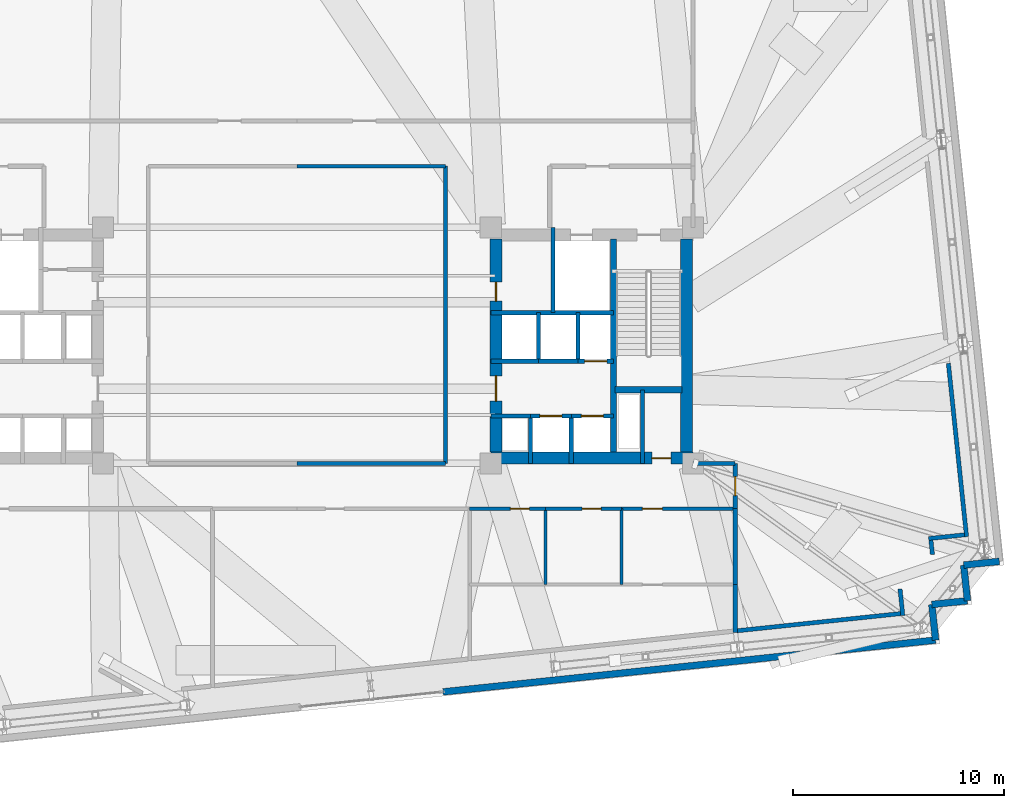
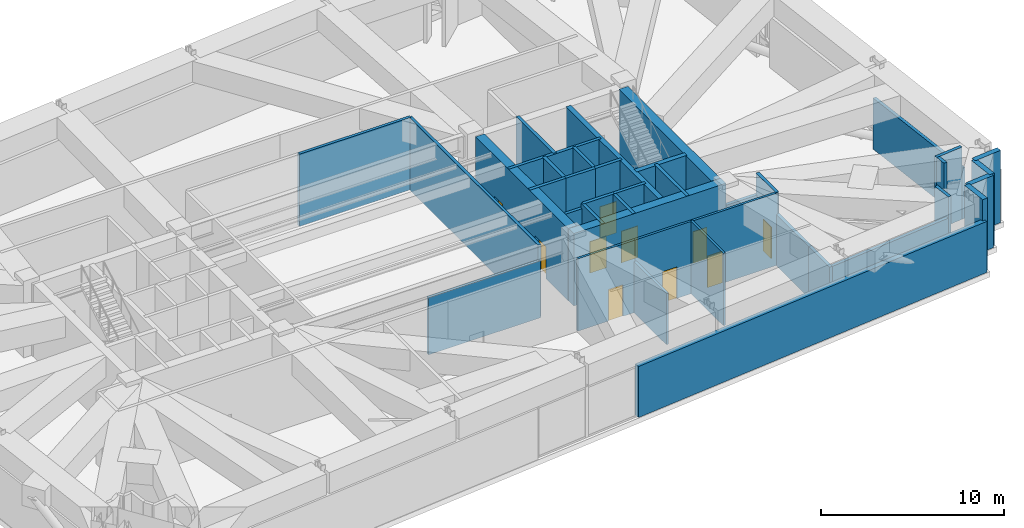
# One storey, part 20 of 23: 40 walls, 10 doors, 10 openings.
"""IFC4 building model written with IfcOpenShell, lengths in metres."""

import ifcopenshell
import ifcopenshell.guid

model = None  # the IFC model being written
_history = None  # IfcOwnerHistory: only IFC2X3 demands one
_inside = {}  # id of a spatial element -> (the spatial element, [elements in it])
_under = {}  # id of a project, library or spatial element -> (it, [spatial elements below it])
_declared = {}  # id of a project -> (the project, [libraries it declares])
_typed = {}  # id of a type object -> (the type object, [elements of that type])
_made_of = {}  # id of a material, layer set ... -> (it, [elements and type objects made of it])


def new_model(schema):
    """Start an empty IFC model of exactly this schema.

    Asked for "IFC4X3", IfcOpenShell would pick the latest addendum, in which some entities
    have other attributes; the version numbers below select the first issue.
    IFC2X3 requires an IfcOwnerHistory on every rooted entity: one is made here for all.
    """
    global model, _history
    if schema == "IFC4X3":
        model = ifcopenshell.file(schema_version=(4, 3, 0, 0))
    else:
        model = ifcopenshell.file(schema=schema)
    _inside.clear()
    _under.clear()
    _declared.clear()
    _typed.clear()
    _made_of.clear()
    _history = None
    if model.schema == "IFC2X3":
        org = make("IfcOrganization", Name="unknown")
        user = make(
            "IfcPersonAndOrganization",
            ThePerson=make("IfcPerson", FamilyName="unknown"),
            TheOrganization=org,
        )
        app = make(
            "IfcApplication",
            ApplicationDeveloper=org,
            Version="unknown",
            ApplicationFullName="unknown",
            ApplicationIdentifier="unknown",
        )
        _history = make(
            "IfcOwnerHistory",
            OwningUser=user,
            OwningApplication=app,
            ChangeAction="ADDED",
            CreationDate=0,
        )
    return model


def make(cls, **values):
    """One entity of the class cls with the attributes given. An attribute that is None is left unset."""
    return model.create_entity(
        cls, **{name: value for name, value in values.items() if value is not None}
    )


def rooted(cls, **values):
    """An entity with a GlobalId (a new one), such as an element, a storey or a relation."""
    return make(cls, GlobalId=ifcopenshell.guid.new(), OwnerHistory=_history, **values)


def si_unit(unit_type, name, prefix=None):
    """IfcSIUnit, for example si_unit("LENGTHUNIT", "METRE", prefix="MILLI")."""
    return make("IfcSIUnit", UnitType=unit_type, Prefix=prefix, Name=name)


def assignment(units):
    """IfcUnitAssignment: the units of a project."""
    return None if units is None else make("IfcUnitAssignment", Units=units)


def point(xyz):
    """IfcCartesianPoint."""
    return None if xyz is None else make("IfcCartesianPoint", Coordinates=xyz)


def direction(xyz):
    """IfcDirection."""
    return None if xyz is None else make("IfcDirection", DirectionRatios=xyz)


def frame(location, z_axis=None, x_axis=None):
    """IfcAxis2Placement3D, a coordinate frame: its origin and axes. An axis left out is left unset."""
    return make(
        "IfcAxis2Placement3D",
        Location=point(location),
        Axis=direction(z_axis),
        RefDirection=direction(x_axis),
    )


def frame_2d(location, x_axis=None):
    """IfcAxis2Placement2D, a coordinate frame in the plane: its origin and x axis."""
    return make(
        "IfcAxis2Placement2D", Location=point(location), RefDirection=direction(x_axis)
    )


def origin():
    """The frame at (0, 0, 0) with its axes left unset."""
    return frame((0.0, 0.0, 0.0))


def place(relative_to, where):
    """IfcLocalPlacement: puts the frame where relative to a parent placement (None: the world)."""
    return make(
        "IfcLocalPlacement", PlacementRelTo=relative_to, RelativePlacement=where
    )


def context(
    kind, dimensions, precision=None, world=None, true_north=None, identifier=None
):
    """IfcGeometricRepresentationContext, for example the 3D "Model" context."""
    return make(
        "IfcGeometricRepresentationContext",
        ContextIdentifier=identifier,
        ContextType=kind,
        CoordinateSpaceDimension=dimensions,
        Precision=precision,
        WorldCoordinateSystem=world,
        TrueNorth=true_north,
    )


def subcontext(parent, identifier, kind, view, scale=None):
    """IfcGeometricRepresentationSubContext, for example "Body" below "Model"."""
    return make(
        "IfcGeometricRepresentationSubContext",
        ContextIdentifier=identifier,
        ContextType=kind,
        ParentContext=parent,
        TargetScale=scale,
        TargetView=view,
    )


def project(units=None, contexts=None):
    """IfcProject with its units and contexts."""
    return rooted(
        "IfcProject",
        Name="project",
        RepresentationContexts=contexts,
        UnitsInContext=assignment(units),
    )


def spatial(cls, under=None, at=None, **own):
    """A site, building, storey or space (cls), placed at a placement, below another one or the project."""
    s = rooted(cls, ObjectPlacement=at, **own)
    if under is not None:
        _under.setdefault(under.id(), (under, []))[1].append(s)
    return s


def profile(cls, at=None, kind="AREA", **sizes):
    """A parametric profile (cls). Its sizes go by their IFC names, for example OverallWidth=200.0."""
    return make(cls, ProfileType=kind, Position=at, **sizes)


def rectangle(**sizes):
    """IfcRectangleProfileDef."""
    return profile("IfcRectangleProfileDef", **sizes)


def extrude(swept, where, along, depth):
    """IfcExtrudedAreaSolid: the profile swept, set in the frame where, extruded along a direction by depth."""
    return make(
        "IfcExtrudedAreaSolid",
        SweptArea=swept,
        Position=where,
        ExtrudedDirection=direction(along),
        Depth=depth,
    )


def shape(context_of_items, identifier, shape_type, items):
    """IfcShapeRepresentation: the items that make up one representation, for example the "Body"."""
    return make(
        "IfcShapeRepresentation",
        ContextOfItems=context_of_items,
        RepresentationIdentifier=identifier,
        RepresentationType=shape_type,
        Items=items,
    )


def material(Name=None, Category=None):
    """IfcMaterial."""
    return make("IfcMaterial", Name=Name, Category=Category)


def layer(
    of_material, thickness, ventilated=None, Name=None, Category=None, Priority=None
):
    """IfcMaterialLayer: one layer of a wall or slab, of a material (None: an air gap)."""
    return make(
        "IfcMaterialLayer",
        Material=of_material,
        LayerThickness=thickness,
        IsVentilated=ventilated,
        Name=Name,
        Category=Category,
        Priority=Priority,
    )


def layer_set(layers, Name=None):
    """IfcMaterialLayerSet."""
    return make("IfcMaterialLayerSet", MaterialLayers=layers, LayerSetName=Name)


def made_of(thing, what):
    """Note that an element or type object is made of a material, layer set ...; save() writes the relation."""
    if what is not None:
        _made_of.setdefault(what.id(), (what, []))[1].append(thing)
    return thing


def type_object(cls, material=None, **own):
    """A type object (cls), such as IfcWallType, which elements share."""
    return made_of(rooted(cls, **own), material)


def element(
    cls,
    number,
    at=None,
    inside=None,
    cuts=None,
    type_object=None,
    material=None,
    context=None,
    identifier="Body",
    shape_type=None,
    held_by="IfcProductDefinitionShape",
    body=None,
    shapes=None,
    **own,
):
    """One element of the class cls, such as IfcWall. Its Tag is "e" and its number.

    at: its placement. inside: the storey or other place that contains it. cuts: it is an
    opening in that element (IfcRelVoidsElement). A single representation is given by context,
    identifier, shape_type and body (its items); several are given by shapes. held_by: the class
    of the entity that holds the representations. save() writes the other relations.
    """
    e = rooted(cls, Tag="e%d" % number, ObjectPlacement=at, **own)
    if body is not None:
        shapes = [shape(context, identifier, shape_type, body)]
    if shapes is not None:
        e.Representation = make(held_by, Representations=shapes)
    if inside is not None:
        _inside.setdefault(inside.id(), (inside, []))[1].append(e)
    if cuts is not None:
        rooted(
            "IfcRelVoidsElement", RelatingBuildingElement=cuts, RelatedOpeningElement=e
        )
    if type_object is not None:
        _typed.setdefault(type_object.id(), (type_object, []))[1].append(e)
    return made_of(e, material)


def fill(opening, filler):
    """IfcRelFillsElement: the door or window that sits in an opening."""
    return rooted(
        "IfcRelFillsElement",
        RelatingOpeningElement=opening,
        RelatedBuildingElement=filler,
    )


def aggregate(whole, parts):
    """IfcRelAggregates: a whole, such as a stair, and the parts it consists of."""
    return rooted("IfcRelAggregates", RelatingObject=whole, RelatedObjects=parts)


def save(model, path):
    """Write the relations noted so far, then the file.

    IfcRelAggregates (storeys below a building ...), IfcRelContainedInSpatialStructure (elements
    in a storey), IfcRelDefinesByType, IfcRelAssociatesMaterial and IfcRelDeclares: one each for
    every whole, place, type object, material and project.
    """
    for whole, parts in _under.values():
        aggregate(whole, parts)
    for where, things in _inside.values():
        rooted(
            "IfcRelContainedInSpatialStructure",
            RelatedElements=things,
            RelatingStructure=where,
        )
    for kind, things in _typed.values():
        rooted("IfcRelDefinesByType", RelatedObjects=things, RelatingType=kind)
    for what, things in _made_of.values():
        rooted("IfcRelAssociatesMaterial", RelatedObjects=things, RelatingMaterial=what)
    for by, libraries in _declared.values():
        rooted("IfcRelDeclares", RelatingContext=by, RelatedDefinitions=libraries)
    model.write(path)


model = new_model("IFC4")

# Units and contexts
model_context = context("Model", 3, precision=1e-05, world=origin(), true_north=direction((0.0, 1.0)))
body_context = subcontext(model_context, "Body", "Model", "MODEL_VIEW")
ifc_project = project(units=[si_unit("LENGTHUNIT", "METRE"), si_unit("AREAUNIT", "SQUARE_METRE"), si_unit("VOLUMEUNIT", "CUBIC_METRE"), si_unit("PLANEANGLEUNIT", "RADIAN"), si_unit("MASSUNIT", "GRAM", prefix="KILO")], contexts=[model_context])

# Site, building, storey
site_placement = place(None, origin())
site = spatial("IfcSite", under=ifc_project, at=site_placement, CompositionType="ELEMENT")
building_placement = place(site_placement, origin())
building = spatial("IfcBuilding", under=site, at=building_placement, Name="Qobustan Lattice House", CompositionType="ELEMENT")
storey_placement = place(building_placement, frame((0.0, 0.0, 125.89990234375)))
storey = spatial("IfcBuildingStorey", under=building, at=storey_placement, Name="L35", CompositionType="ELEMENT", Elevation=125.89990234375)

# Wall, opening, door
ifc_material_1 = material(Name="Concrete C60/75", Category="concrete")
ifc_layer_1 = layer(ifc_material_1, 0.56005859375)
ifc_layer_set_1 = layer_set([ifc_layer_1], Name="Concrete C60/75")
wall_type_1 = type_object("IfcWallType", Name="WAL-CORE-600", PredefinedType="SHEAR", material=ifc_layer_set_1)
wall_1_placement = place(storey_placement, frame((9.199951171875, -5.35009765625, 0.0), z_axis=(0.0, 0.0, 1.0), x_axis=(1.0, 0.0, 0.0)))
wall_1 = element("IfcWall", 1, at=wall_1_placement, inside=storey, type_object=wall_type_1, Name="L35 split-core shear wall CE-S", PredefinedType="SHEAR", context=body_context, shape_type="SweptSolid", body=[
    extrude(rectangle(XDim=9.60009765625, YDim=0.56005859375, at=frame_2d((4.800048828125, 0.0))), origin(), (0.0, 0.0, 1.0), 4.820068359375),
])
opening_1_placement = place(wall_1_placement, frame((7.64990234375, 0.0, 0.0)))
opening_1 = element("IfcOpeningElement", 2, at=opening_1_placement, cuts=wall_1, Name="Opening RD-01", PredefinedType="OPENING", context=body_context, shape_type="SweptSolid", body=[
    extrude(rectangle(XDim=0.89990234375, YDim=2.10009765625, at=frame_2d((0.449951171875, 1.050048828125))), frame((0.0, 0.2900390625, 0.0), z_axis=(0.0, -1.0, 0.0), x_axis=(1.0, 0.0, 0.0)), (0.0, 0.0, 1.0), 0.580078125),
])
ifc_material_2 = material(Name="Persian walnut timber and steel frame door", Category="steel")
door_type_1 = type_object("IfcDoorType", Name="DOR-RISER-FD-900x2100", OperationType="NOTDEFINED", PredefinedType="DOOR", material=ifc_material_2)
door_1_placement = place(opening_1_placement, origin())
door_1 = element("IfcDoor", 3, at=door_1_placement, inside=storey, type_object=door_type_1, Name="L35 core service riser access door E", OperationType="SINGLE_SWING_LEFT", OverallHeight=2.10009765625, OverallWidth=0.89990234375, PredefinedType="DOOR", context=body_context, shape_type="SweptSolid", body=[
    extrude(rectangle(XDim=0.89990234375, YDim=2.10009765625, at=frame_2d((0.449951171875, 1.050048828125))), frame((0.0, 0.02490234375, 0.0), z_axis=(0.0, -1.0, 0.0), x_axis=(1.0, 0.0, 0.0)), (0.0, 0.0, 1.0), 0.050048828125),
])
fill(opening_1, door_1)

# Wall, openings, doors
wall_2_placement = place(storey_placement, frame((9.449951171875, -5.050048828125, 0.0), z_axis=(0.0, 0.0, 1.0), x_axis=(0.0, 1.0, 0.0)))
wall_2 = element("IfcWall", 4, at=wall_2_placement, inside=storey, type_object=wall_type_1, Name="L35 split-core shear wall CE-W", PredefinedType="SHEAR", context=body_context, shape_type="SweptSolid", body=[
    extrude(rectangle(XDim=10.10009765625, YDim=0.56005859375, at=frame_2d((5.050048828125, 0.0))), origin(), (0.0, 0.0, 1.0), 4.820068359375),
])
opening_2_placement = place(wall_2_placement, frame((7.14990234375, 0.0, 0.0)))
opening_2 = element("IfcOpeningElement", 5, at=opening_2_placement, cuts=wall_2, Name="Opening RD-01", PredefinedType="OPENING", context=body_context, shape_type="SweptSolid", body=[
    extrude(rectangle(XDim=0.89990234375, YDim=2.10009765625, at=frame_2d((0.449951171875, 1.050048828125))), frame((0.0, 0.2900390625, 0.0), z_axis=(0.0, -1.0, 0.0), x_axis=(1.0, 0.0, 0.0)), (0.0, 0.0, 1.0), 0.580078125),
])
opening_3_placement = place(wall_2_placement, frame((2.39990234375, 0.0, 0.0)))
opening_3 = element("IfcOpeningElement", 6, at=opening_3_placement, cuts=wall_2, Name="Opening FD-01", PredefinedType="OPENING", context=body_context, shape_type="SweptSolid", body=[
    extrude(rectangle(XDim=1.199951171875, YDim=2.14990234375, at=frame_2d((0.60009765625, 1.074951171875))), frame((0.0, 0.2900390625, 0.0), z_axis=(0.0, -1.0, 0.0), x_axis=(1.0, 0.0, 0.0)), (0.0, 0.0, 1.0), 0.580078125),
])
ifc_material_3 = material(Name="Persian walnut timber and steel frame door", Category="steel")
door_type_2 = type_object("IfcDoorType", Name="DOR-LOBBY-FD-1200x2150", OperationType="NOTDEFINED", PredefinedType="DOOR", material=ifc_material_3)
door_2_placement = place(opening_3_placement, origin())
door_2 = element("IfcDoor", 7, at=door_2_placement, inside=storey, type_object=door_type_2, Name="L35 East passenger lift lobby fire door", OperationType="SINGLE_SWING_RIGHT", OverallHeight=2.14990234375, OverallWidth=1.199951171875, PredefinedType="DOOR", context=body_context, shape_type="SweptSolid", body=[
    extrude(rectangle(XDim=1.199951171875, YDim=2.14990234375, at=frame_2d((0.60009765625, 1.074951171875))), frame((0.0, 0.02490234375, 0.0), z_axis=(0.0, -1.0, 0.0), x_axis=(1.0, 0.0, 0.0)), (0.0, 0.0, 1.0), 0.050048828125),
])
fill(opening_3, door_2)
door_3_placement = place(opening_2_placement, origin())
door_3 = element("IfcDoor", 8, at=door_3_placement, inside=storey, type_object=door_type_1, Name="L35 Housekeeping linen store fire door", OperationType="SINGLE_SWING_LEFT", OverallHeight=2.10009765625, OverallWidth=0.89990234375, PredefinedType="DOOR", context=body_context, shape_type="SweptSolid", body=[
    extrude(rectangle(XDim=0.89990234375, YDim=2.10009765625, at=frame_2d((0.449951171875, 1.050048828125))), frame((0.0, 0.02490234375, 0.0), z_axis=(0.0, -1.0, 0.0), x_axis=(1.0, 0.0, 0.0)), (0.0, 0.0, 1.0), 0.050048828125),
])
fill(opening_2, door_3)

# Walls
wall_3_placement = place(storey_placement, frame((18.489990234375, -5.050048828125, 0.0), z_axis=(0.0, 0.0, 1.0), x_axis=(0.0, 1.0, 0.0)))
element("IfcWall", 9, at=wall_3_placement, inside=storey, type_object=wall_type_1, Name="L35 split-core shear wall CE-E", PredefinedType="SHEAR", context=body_context, shape_type="SweptSolid", body=[
    extrude(rectangle(XDim=10.10009765625, YDim=0.56005859375, at=frame_2d((5.050048828125, 0.0))), origin(), (0.0, 0.0, 1.0), 4.820068359375),
])
ifc_material_4 = material(Name="Concrete C50/60", Category="concrete")
ifc_layer_2 = layer(ifc_material_4, 0.280029296875)
ifc_layer_set_2 = layer_set([ifc_layer_2], Name="Concrete C50/60")
wall_type_2 = type_object("IfcWallType", Name="WAL-CORE-SPINE-280", PredefinedType="SHEAR", material=ifc_layer_set_2)
wall_4_placement = place(storey_placement, frame((15.02001953125, -5.050048828125, 0.0), z_axis=(0.0, 0.0, 1.0), x_axis=(0.0, 1.0, 0.0)))
element("IfcWall", 10, at=wall_4_placement, inside=storey, type_object=wall_type_2, Name="L35 split-core shear wall CE-M", PredefinedType="SHEAR", context=body_context, shape_type="SweptSolid", body=[
    extrude(rectangle(XDim=10.10009765625, YDim=0.300048828125, at=frame_2d((5.050048828125, 0.0))), origin(), (0.0, 0.0, 1.0), 4.820068359375),
])
wall_5_placement = place(storey_placement, frame((15.10009765625, -2.110107421875, 0.0), z_axis=(0.0, 0.0, 1.0), x_axis=(1.0, 0.0, 0.0)))
element("IfcWall", 11, at=wall_5_placement, inside=storey, type_object=wall_type_2, Name="L35 split-core shear wall CE-ST", PredefinedType="SHEAR", context=body_context, shape_type="SweptSolid", body=[
    extrude(rectangle(XDim=3.179931640625, YDim=0.300048828125, at=frame_2d((1.58984375, 0.0))), origin(), (0.0, 0.0, 1.0), 4.820068359375),
])
ifc_material_5 = material(Name="Precast concrete C40/50", Category="concrete")
ifc_layer_3 = layer(ifc_material_5, 0.320068359375)
ifc_layer_set_3 = layer_set([ifc_layer_3], Name="Precast concrete C40/50")
wall_type_3 = type_object("IfcWallType", Name="WAL-EXT-STONE-320", PredefinedType="SOLIDWALL", material=ifc_layer_set_3)
for number, where, z_axis, x_axis, name in (
    (12, (33.333251953125, -10.2490234375, 0.0), (0.0, 0.0, 1.0), (-0.994519608382, -0.104550220202, 0.0), "L35 exterior limestone-clad wall 16"),
    (13, (31.642578125, -10.4267578125, 0.0), (0.0, 0.0, 1.0), (0.104550220202, -0.994519608382, 0.0), "L35 exterior limestone-clad wall 17"),
    (14, (31.8203125, -12.117431640625, 0.0), (0.0, 0.0, 1.0), (-0.994519608382, -0.104550220202, 0.0), "L35 exterior limestone-clad wall 18"),
):
    element("IfcWall", number, at=place(storey_placement, frame(where, z_axis=z_axis, x_axis=x_axis)), inside=storey, type_object=wall_type_3, Name=name, PredefinedType="SOLIDWALL", context=body_context, shape_type="SweptSolid", body=[
        extrude(rectangle(XDim=1.699951171875, YDim=0.320068359375, at=frame_2d((0.85009765625, 0.0))), origin(), (0.0, 0.0, 1.0), 4.820068359375),
    ])
wall_6_placement = place(storey_placement, frame((30.129638671875, -12.295166015625, 0.0), z_axis=(0.0, 0.0, 1.0), x_axis=(0.104565154801, -0.994518038248, 0.0)))
element("IfcWall", 15, at=wall_6_placement, inside=storey, type_object=wall_type_3, Name="L35 exterior limestone-clad wall 19", PredefinedType="SOLIDWALL", context=body_context, shape_type="SweptSolid", body=[
    extrude(rectangle(XDim=1.69970703125, YDim=0.320068359375, at=frame_2d((0.849853515625, 0.0))), origin(), (0.0, 0.0, 1.0), 4.820068359375),
])
wall_7_placement = place(storey_placement, frame((30.307373046875, -13.985595703125, 0.0), z_axis=(0.0, 0.0, 1.0), x_axis=(-0.994521380566, -0.104533361168, 0.0)))
element("IfcWall", 16, at=wall_7_placement, inside=storey, type_object=wall_type_3, Name="L35 exterior stone wall 20A", PredefinedType="SOLIDWALL", context=body_context, shape_type="SweptSolid", body=[
    extrude(rectangle(XDim=23.5, YDim=0.320068359375, at=frame_2d((11.75, 0.0))), origin(), (0.0, 0.0, 1.0), 3.405029296875),
])
ifc_material_6 = material(Name="Gypsum fireboard acoustic partition", Category="gypsum")
ifc_layer_4 = layer(ifc_material_6, 0.179931640625)
ifc_layer_set_4 = layer_set([ifc_layer_4], Name="Gypsum fireboard acoustic partition")
wall_type_4 = type_object("IfcWallType", Name="WAL-FIRE-180", PredefinedType="PARTITIONING", material=ifc_layer_set_4)
wall_8_placement = place(storey_placement, frame((7.050048828125, 8.5, 0.0), z_axis=(0.0, 0.0, 1.0), x_axis=(-1.0, 0.0, 0.0)))
element("IfcWall", 17, at=wall_8_placement, inside=storey, type_object=wall_type_4, Name="L35 interior partition 42", PredefinedType="PARTITIONING", context=body_context, shape_type="SweptSolid", body=[
    extrude(rectangle(XDim=7.050048828125, YDim=0.179931640625, at=frame_2d((3.52490234375, 0.0))), origin(), (0.0, 0.0, 1.0), 4.820068359375),
])
wall_9_placement = place(storey_placement, frame((0.0, -5.60009765625, 0.0), z_axis=(0.0, 0.0, 1.0), x_axis=(1.0, 0.0, 0.0)))
element("IfcWall", 18, at=wall_9_placement, inside=storey, type_object=wall_type_4, Name="L35 interior partition 54", PredefinedType="PARTITIONING", context=body_context, shape_type="SweptSolid", body=[
    extrude(rectangle(XDim=7.050048828125, YDim=0.179931640625, at=frame_2d((3.52490234375, 0.0))), origin(), (0.0, 0.0, 1.0), 3.797119140625),
])
wall_10_placement = place(storey_placement, frame((7.050048828125, -5.60009765625, 0.0), z_axis=(0.0, 0.0, 1.0), x_axis=(0.0, 1.0, 0.0)))
element("IfcWall", 19, at=wall_10_placement, inside=storey, type_object=wall_type_4, Name="L35 interior partition 56", PredefinedType="PARTITIONING", context=body_context, shape_type="SweptSolid", body=[
    extrude(rectangle(XDim=14.10009765625, YDim=0.179931640625, at=frame_2d((7.050048828125, 0.0))), origin(), (0.0, 0.0, 1.0), 4.820068359375),
])

# Wall, opening, door
ifc_material_7 = material(Name="Acoustic twin-stud gypsum partition", Category="gypsum")
ifc_layer_5 = layer(ifc_material_7, 0.14990234375)
ifc_layer_set_5 = layer_set([ifc_layer_5], Name="Acoustic twin-stud gypsum partition")
wall_type_5 = type_object("IfcWallType", Name="WAL-PART-150", PredefinedType="PARTITIONING", material=ifc_layer_set_5)
wall_11_placement = place(storey_placement, frame((20.800048828125, -7.75, 0.0), z_axis=(0.0, 0.0, 1.0), x_axis=(-1.0, 0.0, 0.0)))
wall_11 = element("IfcWall", 20, at=wall_11_placement, inside=storey, type_object=wall_type_5, Name="L35 interior partition 53", PredefinedType="PARTITIONING", context=body_context, shape_type="SweptSolid", body=[
    extrude(rectangle(XDim=5.400146484375, YDim=0.14990234375, at=frame_2d((2.7001953125, 0.0))), origin(), (0.0, 0.0, 1.0), 4.820068359375),
])
opening_4_placement = place(wall_11_placement, frame((3.458740234375, 0.0, 0.0)))
opening_4 = element("IfcOpeningElement", 21, at=opening_4_placement, cuts=wall_11, Name="Opening ID-01", PredefinedType="OPENING", context=body_context, shape_type="SweptSolid", body=[
    extrude(rectangle(XDim=0.949951171875, YDim=2.10009765625, at=frame_2d((0.47509765625, 1.050048828125))), frame((0.0, 0.0849609375, 0.0), z_axis=(0.0, -1.0, 0.0), x_axis=(1.0, 0.0, 0.0)), (0.0, 0.0, 1.0), 0.169921875),
])
ifc_material_8 = material(Name="Persian walnut timber and steel frame door", Category="steel")
door_type_3 = type_object("IfcDoorType", Name="DOR-ROOM-950x2100", OperationType="NOTDEFINED", PredefinedType="DOOR", material=ifc_material_8)
door_4_placement = place(opening_4_placement, origin())
door_4 = element("IfcDoor", 22, at=door_4_placement, inside=storey, type_object=door_type_3, Name="L35 South-east mechanical plant corridor to Janitor supply store door", OperationType="SINGLE_SWING_LEFT", OverallHeight=2.10009765625, OverallWidth=0.949951171875, PredefinedType="DOOR", context=body_context, shape_type="SweptSolid", body=[
    extrude(rectangle(XDim=0.949951171875, YDim=2.10009765625, at=frame_2d((0.47509765625, 1.050048828125))), frame((0.0, 0.02490234375, 0.0), z_axis=(0.0, -1.0, 0.0), x_axis=(1.0, 0.0, 0.0)), (0.0, 0.0, 1.0), 0.050048828125),
])
fill(opening_4, door_4)

# Walls
ifc_material_9 = material(Name="Two-hour gypsum fireboard acoustic partition", Category="gypsum")
ifc_layer_6 = layer(ifc_material_9, 0.199951171875)
ifc_layer_set_6 = layer_set([ifc_layer_6], Name="Two-hour gypsum fireboard acoustic partition")
wall_type_6 = type_object("IfcWallType", Name="WAL-PROT-200", PredefinedType="PARTITIONING", material=ifc_layer_set_6)
wall_12_placement = place(storey_placement, frame((30.912841796875, -0.851806640625, 0.0), z_axis=(0.0, 0.0, 1.0), x_axis=(0.104515821839, -0.994523223955, 0.0)))
element("IfcWall", 23, at=wall_12_placement, inside=storey, type_object=wall_type_6, Name="L35 perimeter belt-truss plenum enclosure wall 32", PredefinedType="PARTITIONING", context=body_context, shape_type="SweptSolid", body=[
    extrude(rectangle(XDim=8.27392578125, YDim=0.199951171875, at=frame_2d((4.136962890625, 0.0))), origin(), (0.0, 0.0, 1.0), 3.405029296875),
])
wall_13_placement = place(storey_placement, frame((31.6796875, -8.989990234375, 0.0), z_axis=(0.0, 0.0, 1.0), x_axis=(-0.99452340776, -0.104514072816, 0.0)))
element("IfcWall", 24, at=wall_13_placement, inside=storey, type_object=wall_type_6, Name="L35 perimeter belt-truss plenum enclosure wall 33", PredefinedType="PARTITIONING", context=body_context, shape_type="SweptSolid", body=[
    extrude(rectangle(XDim=1.712158203125, YDim=0.199951171875, at=frame_2d((0.85595703125, 0.0))), origin(), (0.0, 0.0, 1.0), 4.820068359375),
])
wall_14_placement = place(storey_placement, frame((30.085693359375, -9.24609375, 0.0), z_axis=(0.0, 0.0, 1.0), x_axis=(0.104647473467, -0.994509379693, 0.0)))
element("IfcWall", 25, at=wall_14_placement, inside=storey, type_object=wall_type_6, Name="L35 perimeter belt-truss plenum enclosure wall 34", PredefinedType="PARTITIONING", context=body_context, shape_type="SweptSolid", body=[
    extrude(rectangle(XDim=0.68115234375, YDim=0.199951171875, at=frame_2d((0.340576171875, 0.0))), origin(), (0.0, 0.0, 1.0), 4.820068359375),
])
wall_15_placement = place(storey_placement, frame((28.61962890625, -11.560791015625, 0.0), z_axis=(0.0, 0.0, 1.0), x_axis=(0.104382911307, -0.994537182727, 0.0)))
element("IfcWall", 26, at=wall_15_placement, inside=storey, type_object=wall_type_6, Name="L35 perimeter belt-truss plenum enclosure wall 35", PredefinedType="PARTITIONING", context=body_context, shape_type="SweptSolid", body=[
    extrude(rectangle(XDim=1.262939453125, YDim=0.199951171875, at=frame_2d((0.63134765625, 0.0))), origin(), (0.0, 0.0, 1.0), 4.820068359375),
])
wall_16_placement = place(storey_placement, frame((28.653564453125, -12.726806640625, 0.0), z_axis=(0.0, 0.0, 1.0), x_axis=(-0.994524251062, -0.104506047913, 0.0)))
element("IfcWall", 27, at=wall_16_placement, inside=storey, type_object=wall_type_6, Name="L35 perimeter belt-truss plenum enclosure wall 36", PredefinedType="PARTITIONING", context=body_context, shape_type="SweptSolid", body=[
    extrude(rectangle(XDim=7.8212890625, YDim=0.199951171875, at=frame_2d((3.91064453125, 0.0))), origin(), (0.0, 0.0, 1.0), 3.405029296875),
])

# Wall, opening, door
wall_17_placement = place(storey_placement, frame((20.800048828125, -5.60009765625, 0.0), z_axis=(0.0, 0.0, 1.0), x_axis=(0.0, -1.0, 0.0)))
wall_17 = element("IfcWall", 28, at=wall_17_placement, inside=storey, type_object=wall_type_6, Name="L35 interior partition 48", PredefinedType="PARTITIONING", context=body_context, shape_type="SweptSolid", body=[
    extrude(rectangle(XDim=2.14990234375, YDim=0.199951171875, at=frame_2d((1.074951171875, 0.0))), origin(), (0.0, 0.0, 1.0), 4.820068359375),
])
opening_5_placement = place(wall_17_placement, frame((0.625, 0.0, 0.0)))
opening_5 = element("IfcOpeningElement", 29, at=opening_5_placement, cuts=wall_17, Name="Opening RD-01", PredefinedType="OPENING", context=body_context, shape_type="SweptSolid", body=[
    extrude(rectangle(XDim=0.89990234375, YDim=2.10009765625, at=frame_2d((0.449951171875, 1.050048828125))), frame((0.0, 0.10986328125, 0.0), z_axis=(0.0, -1.0, 0.0), x_axis=(1.0, 0.0, 0.0)), (0.0, 0.0, 1.0), 0.219970703125),
])
door_5_placement = place(opening_5_placement, origin())
door_5 = element("IfcDoor", 30, at=door_5_placement, inside=storey, type_object=door_type_1, Name="L35 South-east mechanical plant corridor to East protected refuge area door", OperationType="SINGLE_SWING_LEFT", OverallHeight=2.10009765625, OverallWidth=0.89990234375, PredefinedType="DOOR", context=body_context, shape_type="SweptSolid", body=[
    extrude(rectangle(XDim=0.89990234375, YDim=2.10009765625, at=frame_2d((0.449951171875, 1.050048828125))), frame((0.0, 0.02490234375, 0.0), z_axis=(0.0, -1.0, 0.0), x_axis=(1.0, 0.0, 0.0)), (0.0, 0.0, 1.0), 0.050048828125),
])
fill(opening_5, door_5)

# Walls
wall_18_placement = place(storey_placement, frame((18.800048828125, -5.60009765625, 0.0), z_axis=(0.0, 0.0, 1.0), x_axis=(1.0, 0.0, 0.0)))
element("IfcWall", 31, at=wall_18_placement, inside=storey, type_object=wall_type_6, Name="L35 interior partition 49", PredefinedType="PARTITIONING", context=body_context, shape_type="SweptSolid", body=[
    extrude(rectangle(XDim=2.0, YDim=0.199951171875, at=frame_2d((1.0, 0.0))), origin(), (0.0, 0.0, 1.0), 3.405029296875),
])
wall_19_placement = place(storey_placement, frame((20.800048828125, -11.35009765625, 0.0), z_axis=(0.0, 0.0, 1.0), x_axis=(0.0, 1.0, 0.0)))
element("IfcWall", 32, at=wall_19_placement, inside=storey, type_object=wall_type_6, Name="L35 interior partition 60", PredefinedType="PARTITIONING", context=body_context, shape_type="SweptSolid", body=[
    extrude(rectangle(XDim=3.60009765625, YDim=0.199951171875, at=frame_2d((1.800048828125, 0.0))), origin(), (0.0, 0.0, 1.0), 3.405029296875),
])
wall_20_placement = place(storey_placement, frame((20.800048828125, -13.62744140625, 0.0), z_axis=(0.0, 0.0, 1.0), x_axis=(0.0, 1.0, 0.0)))
element("IfcWall", 33, at=wall_20_placement, inside=storey, type_object=wall_type_6, Name="L35 interior partition 61", PredefinedType="PARTITIONING", context=body_context, shape_type="SweptSolid", body=[
    extrude(rectangle(XDim=2.27734375, YDim=0.199951171875, at=frame_2d((1.138671875, 0.0))), origin(), (0.0, 0.0, 1.0), 3.405029296875),
])
ifc_material_10 = material(Name="Concrete C40/50", Category="concrete")
ifc_layer_7 = layer(ifc_material_10, 0.199951171875)
ifc_layer_set_7 = layer_set([ifc_layer_7], Name="Concrete C40/50")
wall_type_7 = type_object("IfcWallType", Name="WAL-SHAFT-200", PredefinedType="PARTITIONING", material=ifc_layer_set_7)
wall_21_placement = place(storey_placement, frame((16.39990234375, -2.110107421875, 0.0), z_axis=(0.0, 0.0, 1.0), x_axis=(0.0, -1.0, 0.0)))
element("IfcWall", 34, at=wall_21_placement, inside=storey, type_object=wall_type_7, Name="L35 interior partition 20", PredefinedType="PARTITIONING", context=body_context, shape_type="SweptSolid", body=[
    extrude(rectangle(XDim=3.489990234375, YDim=0.199951171875, at=frame_2d((1.7451171875, 0.0))), origin(), (0.0, 0.0, 1.0), 4.820068359375),
])
wall_22_placement = place(storey_placement, frame((12.14990234375, 5.60009765625, 0.0), z_axis=(0.0, 0.0, 1.0), x_axis=(0.0, -1.0, 0.0)))
element("IfcWall", 35, at=wall_22_placement, inside=storey, type_object=wall_type_7, Name="L35 interior partition 21", PredefinedType="PARTITIONING", context=body_context, shape_type="SweptSolid", body=[
    extrude(rectangle(XDim=4.050048828125, YDim=0.199951171875, at=frame_2d((2.02490234375, 0.0))), origin(), (0.0, 0.0, 1.0), 4.820068359375),
])
wall_23_placement = place(storey_placement, frame((9.199951171875, -3.35009765625, 0.0), z_axis=(0.0, 0.0, 1.0), x_axis=(1.0, 0.0, 0.0)))
element("IfcWall", 36, at=wall_23_placement, inside=storey, type_object=wall_type_7, Name="L35 interior partition 26", PredefinedType="PARTITIONING", context=body_context, shape_type="SweptSolid", body=[
    extrude(rectangle(XDim=1.880126953125, YDim=0.199951171875, at=frame_2d((0.93994140625, 0.0))), origin(), (0.0, 0.0, 1.0), 4.53515625),
])

# Wall, opening, door
wall_24_placement = place(storey_placement, frame((11.080078125, -3.35009765625, 0.0), z_axis=(0.0, 0.0, 1.0), x_axis=(1.0, 0.0, 0.0)))
wall_24 = element("IfcWall", 37, at=wall_24_placement, inside=storey, type_object=wall_type_7, Name="L35 interior partition 27", PredefinedType="PARTITIONING", context=body_context, shape_type="SweptSolid", body=[
    extrude(rectangle(XDim=1.93994140625, YDim=0.199951171875, at=frame_2d((0.969970703125, 0.0))), origin(), (0.0, 0.0, 1.0), 4.820068359375),
])
opening_6_placement = place(wall_24_placement, frame((0.445068359375, 0.0, 0.0)))
opening_6 = element("IfcOpeningElement", 38, at=opening_6_placement, cuts=wall_24, Name="Opening LD-01", PredefinedType="OPENING", context=body_context, shape_type="SweptSolid", body=[
    extrude(rectangle(XDim=1.050048828125, YDim=2.10009765625, at=frame_2d((0.52490234375, 1.050048828125))), frame((0.0, 0.10986328125, 0.0), z_axis=(0.0, -1.0, 0.0), x_axis=(1.0, 0.0, 0.0)), (0.0, 0.0, 1.0), 0.219970703125),
])
ifc_material_11 = material(Name="Persian walnut timber and steel frame door", Category="steel")
door_type_4 = type_object("IfcDoorType", Name="DOR-LIFT-LD-1050x2100", OperationType="NOTDEFINED", PredefinedType="DOOR", material=ifc_material_11)
door_6_placement = place(opening_6_placement, origin())
door_6 = element("IfcDoor", 39, at=door_6_placement, inside=storey, type_object=door_type_4, Name="L35 lift landing door", OperationType="DOUBLE_DOOR_SLIDING", OverallHeight=2.10009765625, OverallWidth=1.050048828125, PredefinedType="DOOR", context=body_context, shape_type="SweptSolid", body=[
    extrude(rectangle(XDim=1.050048828125, YDim=2.10009765625, at=frame_2d((0.52490234375, 1.050048828125))), frame((0.0, 0.02490234375, 0.0), z_axis=(0.0, -1.0, 0.0), x_axis=(1.0, 0.0, 0.0)), (0.0, 0.0, 1.0), 0.050048828125),
])
fill(opening_6, door_6)

wall_25_placement = place(storey_placement, frame((13.02001953125, -3.35009765625, 0.0), z_axis=(0.0, 0.0, 1.0), x_axis=(1.0, 0.0, 0.0)))
wall_25 = element("IfcWall", 40, at=wall_25_placement, inside=storey, type_object=wall_type_7, Name="L35 interior partition 28", PredefinedType="PARTITIONING", context=body_context, shape_type="SweptSolid", body=[
    extrude(rectangle(XDim=2.0, YDim=0.199951171875, at=frame_2d((1.0, 0.0))), origin(), (0.0, 0.0, 1.0), 4.820068359375),
])
opening_7_placement = place(wall_25_placement, frame((0.47509765625, 0.0, 0.0)))
opening_7 = element("IfcOpeningElement", 41, at=opening_7_placement, cuts=wall_25, Name="Opening LD-01", PredefinedType="OPENING", context=body_context, shape_type="SweptSolid", body=[
    extrude(rectangle(XDim=1.050048828125, YDim=2.10009765625, at=frame_2d((0.52490234375, 1.050048828125))), frame((0.0, 0.10986328125, 0.0), z_axis=(0.0, -1.0, 0.0), x_axis=(1.0, 0.0, 0.0)), (0.0, 0.0, 1.0), 0.219970703125),
])
door_7_placement = place(opening_7_placement, origin())
door_7 = element("IfcDoor", 42, at=door_7_placement, inside=storey, type_object=door_type_4, Name="L35 lift landing door", OperationType="DOUBLE_DOOR_SLIDING", OverallHeight=2.10009765625, OverallWidth=1.050048828125, PredefinedType="DOOR", context=body_context, shape_type="SweptSolid", body=[
    extrude(rectangle(XDim=1.050048828125, YDim=2.10009765625, at=frame_2d((0.52490234375, 1.050048828125))), frame((0.0, 0.02490234375, 0.0), z_axis=(0.0, -1.0, 0.0), x_axis=(1.0, 0.0, 0.0)), (0.0, 0.0, 1.0), 0.050048828125),
])
fill(opening_7, door_7)

# Walls
wall_26_placement = place(storey_placement, frame((11.4599609375, -0.75, 0.0), z_axis=(0.0, 0.0, 1.0), x_axis=(-1.0, 0.0, 0.0)))
element("IfcWall", 43, at=wall_26_placement, inside=storey, type_object=wall_type_7, Name="L35 interior partition 29", PredefinedType="PARTITIONING", context=body_context, shape_type="SweptSolid", body=[
    extrude(rectangle(XDim=2.260009765625, YDim=0.199951171875, at=frame_2d((1.1298828125, 0.0))), origin(), (0.0, 0.0, 1.0), 4.820068359375),
])
wall_27_placement = place(storey_placement, frame((13.340087890625, -0.75, 0.0), z_axis=(0.0, 0.0, 1.0), x_axis=(-1.0, 0.0, 0.0)))
element("IfcWall", 44, at=wall_27_placement, inside=storey, type_object=wall_type_7, Name="L35 interior partition 30", PredefinedType="PARTITIONING", context=body_context, shape_type="SweptSolid", body=[
    extrude(rectangle(XDim=1.880126953125, YDim=0.199951171875, at=frame_2d((0.93994140625, 0.0))), origin(), (0.0, 0.0, 1.0), 4.820068359375),
])

# Wall, opening, door
wall_28_placement = place(storey_placement, frame((15.02001953125, -0.75, 0.0), z_axis=(0.0, 0.0, 1.0), x_axis=(-1.0, 0.0, 0.0)))
wall_28 = element("IfcWall", 45, at=wall_28_placement, inside=storey, type_object=wall_type_7, Name="L35 interior partition 31", PredefinedType="PARTITIONING", context=body_context, shape_type="SweptSolid", body=[
    extrude(rectangle(XDim=1.679931640625, YDim=0.199951171875, at=frame_2d((0.83984375, 0.0))), origin(), (0.0, 0.0, 1.0), 4.820068359375),
])
opening_8_placement = place(wall_28_placement, frame((0.31494140625, 0.0, 0.0)))
opening_8 = element("IfcOpeningElement", 46, at=opening_8_placement, cuts=wall_28, Name="Opening LD-01", PredefinedType="OPENING", context=body_context, shape_type="SweptSolid", body=[
    extrude(rectangle(XDim=1.050048828125, YDim=2.10009765625, at=frame_2d((0.52490234375, 1.050048828125))), frame((0.0, 0.10986328125, 0.0), z_axis=(0.0, -1.0, 0.0), x_axis=(1.0, 0.0, 0.0)), (0.0, 0.0, 1.0), 0.219970703125),
])
door_8_placement = place(opening_8_placement, origin())
door_8 = element("IfcDoor", 47, at=door_8_placement, inside=storey, type_object=door_type_4, Name="L35 lift landing door", OperationType="DOUBLE_DOOR_SLIDING", OverallHeight=2.10009765625, OverallWidth=1.050048828125, PredefinedType="DOOR", context=body_context, shape_type="SweptSolid", body=[
    extrude(rectangle(XDim=1.050048828125, YDim=2.10009765625, at=frame_2d((0.52490234375, 1.050048828125))), frame((0.0, 0.02490234375, 0.0), z_axis=(0.0, -1.0, 0.0), x_axis=(1.0, 0.0, 0.0)), (0.0, 0.0, 1.0), 0.050048828125),
])
fill(opening_8, door_8)

# Walls
for number, where, z_axis, x_axis, name in (
    (48, (11.080078125, -5.60009765625, 0.0), (0.0, 0.0, 1.0), (0.0, 1.0, 0.0), "L35 interior partition 33"),
    (49, (13.02001953125, -5.60009765625, 0.0), (0.0, 0.0, 1.0), (0.0, 1.0, 0.0), "L35 interior partition 34"),
):
    element("IfcWall", number, at=place(storey_placement, frame(where, z_axis=z_axis, x_axis=x_axis)), inside=storey, type_object=wall_type_7, Name=name, PredefinedType="PARTITIONING", context=body_context, shape_type="SweptSolid", body=[
        extrude(rectangle(XDim=2.25, YDim=0.199951171875, at=frame_2d((1.125, 0.0))), origin(), (0.0, 0.0, 1.0), 4.820068359375),
    ])
for number, where, z_axis, x_axis, name in (
    (50, (11.4599609375, -0.75, 0.0), (0.0, 0.0, 1.0), (0.0, 1.0, 0.0), "L35 interior partition 35"),
    (51, (13.340087890625, -0.75, 0.0), (0.0, 0.0, 1.0), (0.0, 1.0, 0.0), "L35 interior partition 36"),
):
    element("IfcWall", number, at=place(storey_placement, frame(where, z_axis=z_axis, x_axis=x_axis)), inside=storey, type_object=wall_type_7, Name=name, PredefinedType="PARTITIONING", context=body_context, shape_type="SweptSolid", body=[
        extrude(rectangle(XDim=2.300048828125, YDim=0.199951171875, at=frame_2d((1.14990234375, 0.0))), origin(), (0.0, 0.0, 1.0), 4.820068359375),
    ])
wall_29_placement = place(storey_placement, frame((9.199951171875, 1.550048828125, 0.0), z_axis=(0.0, 0.0, 1.0), x_axis=(1.0, 0.0, 0.0)))
element("IfcWall", 52, at=wall_29_placement, inside=storey, type_object=wall_type_7, Name="L35 interior partition 71", PredefinedType="PARTITIONING", context=body_context, shape_type="SweptSolid", body=[
    extrude(rectangle(XDim=5.820068359375, YDim=0.199951171875, at=frame_2d((2.91015625, 0.0))), origin(), (0.0, 0.0, 1.0), 4.820068359375),
])

# Wall, opening, door
ifc_material_12 = material(Name="Moisture-resistant acoustic plumbing wall", Category="gypsum")
ifc_layer_8 = layer(ifc_material_12, 0.14990234375)
ifc_layer_set_8 = layer_set([ifc_layer_8], Name="Moisture-resistant acoustic plumbing wall")
wall_type_8 = type_object("IfcWallType", Name="WAL-WET-150", PredefinedType="PLUMBINGWALL", material=ifc_layer_set_8)
wall_30_placement = place(storey_placement, frame((11.800048828125, -7.75, 0.0), z_axis=(0.0, 0.0, 1.0), x_axis=(-1.0, 0.0, 0.0)))
wall_30 = element("IfcWall", 53, at=wall_30_placement, inside=storey, type_object=wall_type_8, Name="L35 interior partition 51", PredefinedType="PLUMBINGWALL", context=body_context, shape_type="SweptSolid", body=[
    extrude(rectangle(XDim=3.60009765625, YDim=0.14990234375, at=frame_2d((1.800048828125, 0.0))), origin(), (0.0, 0.0, 1.0), 4.820068359375),
])
opening_9_placement = place(wall_30_placement, frame((0.7724609375, 0.0, 0.0)))
opening_9 = element("IfcOpeningElement", 54, at=opening_9_placement, cuts=wall_30, Name="Opening WD-01", PredefinedType="OPENING", context=body_context, shape_type="SweptSolid", body=[
    extrude(rectangle(XDim=0.89990234375, YDim=2.10009765625, at=frame_2d((0.449951171875, 1.050048828125))), frame((0.0, 0.0849609375, 0.0), z_axis=(0.0, -1.0, 0.0), x_axis=(1.0, 0.0, 0.0)), (0.0, 0.0, 1.0), 0.169921875),
])
ifc_material_13 = material(Name="Persian walnut timber and steel frame door", Category="steel")
door_type_5 = type_object("IfcDoorType", Name="DOR-WET-900x2100", OperationType="NOTDEFINED", PredefinedType="DOOR", material=ifc_material_13)
door_9_placement = place(opening_9_placement, origin())
door_9 = element("IfcDoor", 55, at=door_9_placement, inside=storey, type_object=door_type_5, Name="L35 South-east mechanical plant corridor to Public WC door", OperationType="SINGLE_SWING_LEFT", OverallHeight=2.10009765625, OverallWidth=0.89990234375, PredefinedType="DOOR", context=body_context, shape_type="SweptSolid", body=[
    extrude(rectangle(XDim=0.89990234375, YDim=2.10009765625, at=frame_2d((0.449951171875, 1.050048828125))), frame((0.0, 0.02490234375, 0.0), z_axis=(0.0, -1.0, 0.0), x_axis=(1.0, 0.0, 0.0)), (0.0, 0.0, 1.0), 0.050048828125),
])
fill(opening_9, door_9)

wall_31_placement = place(storey_placement, frame((15.39990234375, -7.75, 0.0), z_axis=(0.0, 0.0, 1.0), x_axis=(-1.0, 0.0, 0.0)))
wall_31 = element("IfcWall", 56, at=wall_31_placement, inside=storey, type_object=wall_type_8, Name="L35 interior partition 52", PredefinedType="PLUMBINGWALL", context=body_context, shape_type="SweptSolid", body=[
    extrude(rectangle(XDim=3.599853515625, YDim=0.14990234375, at=frame_2d((1.7998046875, 0.0))), origin(), (0.0, 0.0, 1.0), 4.820068359375),
])
opening_10_placement = place(wall_31_placement, frame((0.965087890625, 0.0, 0.0)))
opening_10 = element("IfcOpeningElement", 57, at=opening_10_placement, cuts=wall_31, Name="Opening WD-01", PredefinedType="OPENING", context=body_context, shape_type="SweptSolid", body=[
    extrude(rectangle(XDim=0.89990234375, YDim=2.10009765625, at=frame_2d((0.449951171875, 1.050048828125))), frame((0.0, 0.0849609375, 0.0), z_axis=(0.0, -1.0, 0.0), x_axis=(1.0, 0.0, 0.0)), (0.0, 0.0, 1.0), 0.169921875),
])
door_10_placement = place(opening_10_placement, origin())
door_10 = element("IfcDoor", 58, at=door_10_placement, inside=storey, type_object=door_type_5, Name="L35 South-east mechanical plant corridor to Accessible WC door", OperationType="SINGLE_SWING_RIGHT", OverallHeight=2.10009765625, OverallWidth=0.89990234375, PredefinedType="DOOR", context=body_context, shape_type="SweptSolid", body=[
    extrude(rectangle(XDim=0.89990234375, YDim=2.10009765625, at=frame_2d((0.449951171875, 1.050048828125))), frame((0.0, 0.02490234375, 0.0), z_axis=(0.0, -1.0, 0.0), x_axis=(1.0, 0.0, 0.0)), (0.0, 0.0, 1.0), 0.050048828125),
])
fill(opening_10, door_10)

# Walls
wall_32_placement = place(storey_placement, frame((11.800048828125, -7.75, 0.0), z_axis=(0.0, 0.0, 1.0), x_axis=(0.0, -1.0, 0.0)))
element("IfcWall", 59, at=wall_32_placement, inside=storey, type_object=wall_type_8, Name="L35 interior partition 65", PredefinedType="PLUMBINGWALL", context=body_context, shape_type="SweptSolid", body=[
    extrude(rectangle(XDim=3.60009765625, YDim=0.14990234375, at=frame_2d((1.800048828125, 0.0))), origin(), (0.0, 0.0, 1.0), 3.405029296875),
])
wall_33_placement = place(storey_placement, frame((15.39990234375, -7.75, 0.0), z_axis=(0.0, 0.0, 1.0), x_axis=(0.0, -1.0, 0.0)))
element("IfcWall", 60, at=wall_33_placement, inside=storey, type_object=wall_type_8, Name="L35 interior partition 67", PredefinedType="PLUMBINGWALL", context=body_context, shape_type="SweptSolid", body=[
    extrude(rectangle(XDim=3.60009765625, YDim=0.14990234375, at=frame_2d((1.800048828125, 0.0))), origin(), (0.0, 0.0, 1.0), 4.820068359375),
])

save(model, "model.ifc")
